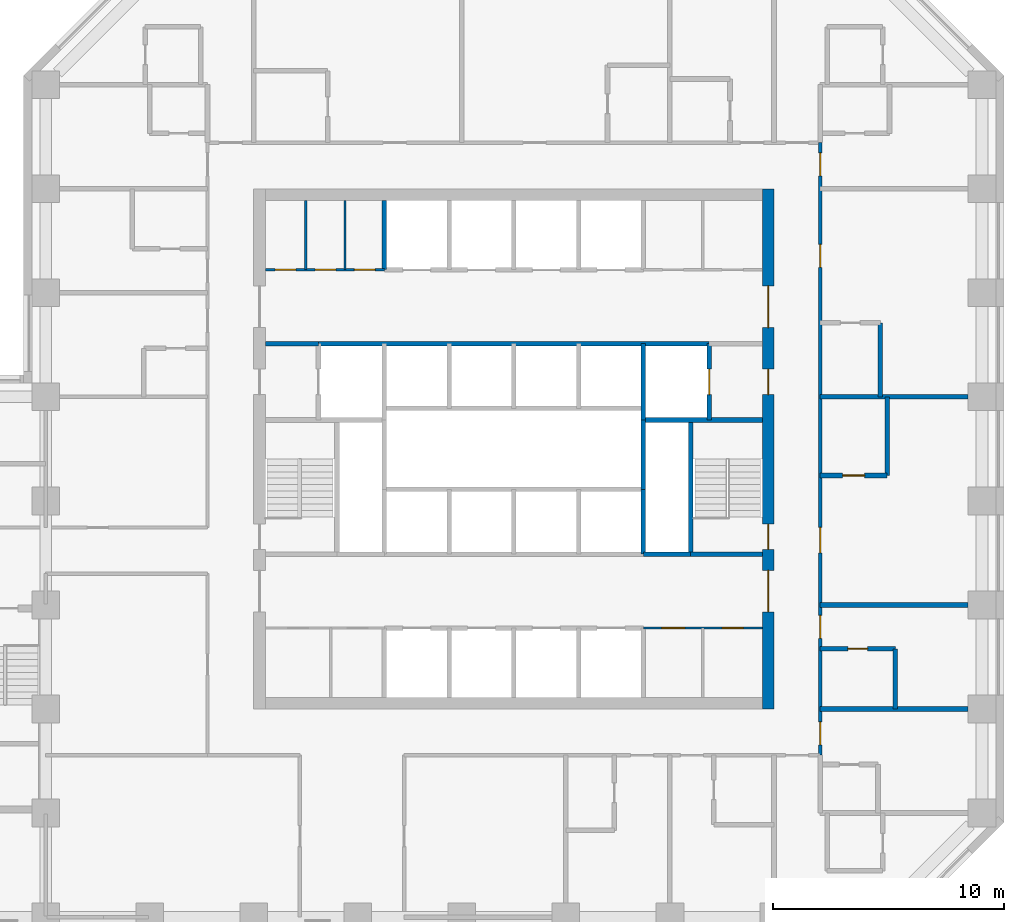
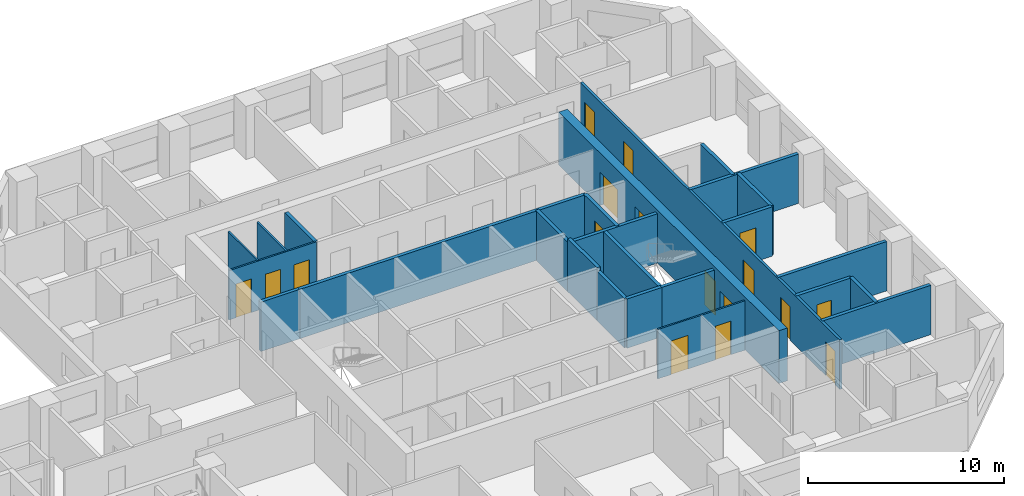
# One storey, part 8 of 12: 25 walls, 17 doors, 17 openings.
"""IFC4 building model written with IfcOpenShell, lengths in metres."""

from ifc_helpers import new_model, si_unit, direction, frame, frame_2d, origin, place, context, subcontext, project, spatial, rectangle, extrude, material, layer, layer_set, type_object, element, fill, save


model = new_model("IFC4")

# Units and contexts
model_context = context("Model", 3, precision=1e-05, world=origin(), true_north=direction((0.0, 1.0)))
body_context = subcontext(model_context, "Body", "Model", "MODEL_VIEW")
ifc_project = project(units=[si_unit("LENGTHUNIT", "METRE"), si_unit("AREAUNIT", "SQUARE_METRE"), si_unit("VOLUMEUNIT", "CUBIC_METRE"), si_unit("PLANEANGLEUNIT", "RADIAN"), si_unit("MASSUNIT", "GRAM", prefix="KILO")], contexts=[model_context])

# Site, building, storey
site_placement = place(None, origin())
site = spatial("IfcSite", under=ifc_project, at=site_placement, CompositionType="ELEMENT")
building_placement = place(site_placement, origin())
building = spatial("IfcBuilding", under=site, at=building_placement, Name="Quoin Convention Tower", CompositionType="ELEMENT")
storey_placement = place(building_placement, frame((0.0, 0.0, 42.89990234375)))
storey = spatial("IfcBuildingStorey", under=building, at=storey_placement, Name="L10", CompositionType="ELEMENT", Elevation=42.89990234375)

# Wall, openings, doors
ifc_material_1 = material(Name="Plasterboard")
ifc_layer_1 = layer(ifc_material_1, 0.012451171875, Name="Finish")
ifc_material_2 = material(Name="Steel stud framing", Category="steel")
ifc_layer_2 = layer(ifc_material_2, 0.074951171875, Name="Structure")
ifc_layer_3 = layer(ifc_material_1, 0.012451171875, Name="Finish")
ifc_layer_set_1 = layer_set([ifc_layer_1, ifc_layer_2, ifc_layer_3], Name="Steel stud framing")
wall_type_1 = type_object("IfcWallType", Name="Core partition wall", PredefinedType="PARTITIONING", material=ifc_layer_set_1)
wall_1_placement = place(storey_placement, frame((61.85009765625, 53.0, 0.0), z_axis=(0.0, 0.0, 1.0), x_axis=(1.0, 0.0, 0.0)))
wall_1 = element("IfcWall", 1, at=wall_1_placement, inside=storey, type_object=wall_type_1, Name="cr-C1-L10-h3500_16850", PredefinedType="PARTITIONING", context=body_context, shape_type="SweptSolid", body=[
    extrude(rectangle(XDim=5.14990234375, YDim=0.10009765625, at=frame_2d((2.574951171875, 0.0))), origin(), (0.0, 0.0, 1.0), 3.080078125),
])
opening_1_placement = place(wall_1_placement, frame((3.41259765625, 0.0, 0.0)))
opening_1 = element("IfcOpeningElement", 2, at=opening_1_placement, cuts=wall_1, Name="Opening DCV4-23", PredefinedType="OPENING", context=body_context, shape_type="SweptSolid", body=[
    extrude(rectangle(XDim=0.89990234375, YDim=2.10009765625, at=frame_2d((0.449951171875, 1.050048828125))), frame((0.0, 0.06005859375, 0.0), z_axis=(0.0, -1.0, 0.0), x_axis=(1.0, 0.0, 0.0)), (0.0, 0.0, 1.0), 0.1201171875),
])
opening_2_placement = place(wall_1_placement, frame((0.78759765625, 0.0, 0.0)))
opening_2 = element("IfcOpeningElement", 3, at=opening_2_placement, cuts=wall_1, Name="Opening DCV4-21", PredefinedType="OPENING", context=body_context, shape_type="SweptSolid", body=[
    extrude(rectangle(XDim=1.0, YDim=2.10009765625, at=frame_2d((0.5, 1.050048828125))), frame((0.0, 0.06005859375, 0.0), z_axis=(0.0, -1.0, 0.0), x_axis=(1.0, 0.0, 0.0)), (0.0, 0.0, 1.0), 0.1201171875),
])
ifc_material_3 = material(Name="Steel door leaf", Category="steel")
door_type_1 = type_object("IfcDoorType", Name="Core room door 1000 x 2100", OperationType="SINGLE_SWING_LEFT", PredefinedType="DOOR", material=ifc_material_3)
door_1_placement = place(opening_2_placement, frame((1.0, 0.0, 0.0), z_axis=(0.0, 0.0, 1.0), x_axis=(-1.0, 0.0, 0.0)))
door_1 = element("IfcDoor", 4, at=door_1_placement, inside=storey, type_object=door_type_1, Name="cd-C1-L10-CSE1-lobA-CD1013", OperationType="SINGLE_SWING_RIGHT", OverallHeight=2.10009765625, OverallWidth=1.0, PredefinedType="DOOR", context=body_context, shape_type="SweptSolid", body=[
    extrude(rectangle(XDim=1.0, YDim=2.10009765625, at=frame_2d((0.5, 1.050048828125))), frame((0.0, 0.02490234375, 0.0), z_axis=(0.0, -1.0, 0.0), x_axis=(1.0, 0.0, 0.0)), (0.0, 0.0, 1.0), 0.050048828125),
])
fill(opening_2, door_1)
door_type_2 = type_object("IfcDoorType", Name="Core room door 900 x 2100", OperationType="SINGLE_SWING_LEFT", PredefinedType="DOOR", material=ifc_material_3)
door_2_placement = place(opening_1_placement, frame((0.89990234375, 0.0, 0.0), z_axis=(0.0, 0.0, 1.0), x_axis=(-1.0, 0.0, 0.0)))
door_2 = element("IfcDoor", 5, at=door_2_placement, inside=storey, type_object=door_type_2, Name="cd-C1-L10-CSE0-lobA-CD1012", OperationType="SINGLE_SWING_LEFT", OverallHeight=2.10009765625, OverallWidth=0.89990234375, PredefinedType="DOOR", context=body_context, shape_type="SweptSolid", body=[
    extrude(rectangle(XDim=0.89990234375, YDim=2.10009765625, at=frame_2d((0.449951171875, 1.050048828125))), frame((0.0, 0.02490234375, 0.0), z_axis=(0.0, -1.0, 0.0), x_axis=(1.0, 0.0, 0.0)), (0.0, 0.0, 1.0), 0.050048828125),
])
fill(opening_1, door_2)

wall_2_placement = place(storey_placement, frame((45.5, 68.5, 0.0), z_axis=(0.0, 0.0, 1.0), x_axis=(1.0, 0.0, 0.0)))
wall_2 = element("IfcWall", 6, at=wall_2_placement, inside=storey, type_object=wall_type_1, Name="cr-C1-L10-h19000_500", PredefinedType="PARTITIONING", context=body_context, shape_type="SweptSolid", body=[
    extrude(rectangle(XDim=5.14990234375, YDim=0.10009765625, at=frame_2d((2.574951171875, 0.0))), origin(), (0.0, 0.0, 1.0), 3.080078125),
])
opening_3_placement = place(wall_2_placement, frame((0.425537109375, 0.0, 0.0)))
opening_3 = element("IfcOpeningElement", 7, at=opening_3_placement, cuts=wall_2, Name="Opening DCV4-18", PredefinedType="OPENING", context=body_context, shape_type="SweptSolid", body=[
    extrude(rectangle(XDim=0.89990234375, YDim=2.10009765625, at=frame_2d((0.449951171875, 1.050048828125))), frame((0.0, 0.06005859375, 0.0), z_axis=(0.0, -1.0, 0.0), x_axis=(1.0, 0.0, 0.0)), (0.0, 0.0, 1.0), 0.1201171875),
])
opening_4_placement = place(wall_2_placement, frame((2.150634765625, 0.0, 0.0)))
opening_4 = element("IfcOpeningElement", 8, at=opening_4_placement, cuts=wall_2, Name="Opening DCV4-19", PredefinedType="OPENING", context=body_context, shape_type="SweptSolid", body=[
    extrude(rectangle(XDim=0.89990234375, YDim=2.10009765625, at=frame_2d((0.449951171875, 1.050048828125))), frame((0.0, 0.06005859375, 0.0), z_axis=(0.0, -1.0, 0.0), x_axis=(1.0, 0.0, 0.0)), (0.0, 0.0, 1.0), 0.1201171875),
])
opening_5_placement = place(wall_2_placement, frame((3.85009765625, 0.0, 0.0)))
opening_5 = element("IfcOpeningElement", 9, at=opening_5_placement, cuts=wall_2, Name="Opening DCV4-20", PredefinedType="OPENING", context=body_context, shape_type="SweptSolid", body=[
    extrude(rectangle(XDim=0.89990234375, YDim=2.10009765625, at=frame_2d((0.449951171875, 1.050048828125))), frame((0.0, 0.06005859375, 0.0), z_axis=(0.0, -1.0, 0.0), x_axis=(1.0, 0.0, 0.0)), (0.0, 0.0, 1.0), 0.1201171875),
])
door_3_placement = place(opening_3_placement, origin())
door_3 = element("IfcDoor", 10, at=door_3_placement, inside=storey, type_object=door_type_2, Name="cd-C1-L10-CNW0-lobB-CD1009", OperationType="SINGLE_SWING_RIGHT", OverallHeight=2.10009765625, OverallWidth=0.89990234375, PredefinedType="DOOR", context=body_context, shape_type="SweptSolid", body=[
    extrude(rectangle(XDim=0.89990234375, YDim=2.10009765625, at=frame_2d((0.449951171875, 1.050048828125))), frame((0.0, 0.02490234375, 0.0), z_axis=(0.0, -1.0, 0.0), x_axis=(1.0, 0.0, 0.0)), (0.0, 0.0, 1.0), 0.050048828125),
])
fill(opening_3, door_3)
door_4_placement = place(opening_4_placement, origin())
door_4 = element("IfcDoor", 11, at=door_4_placement, inside=storey, type_object=door_type_2, Name="cd-C1-L10-CNW1-lobB-CD1010", OperationType="SINGLE_SWING_RIGHT", OverallHeight=2.10009765625, OverallWidth=0.89990234375, PredefinedType="DOOR", context=body_context, shape_type="SweptSolid", body=[
    extrude(rectangle(XDim=0.89990234375, YDim=2.10009765625, at=frame_2d((0.449951171875, 1.050048828125))), frame((0.0, 0.02490234375, 0.0), z_axis=(0.0, -1.0, 0.0), x_axis=(1.0, 0.0, 0.0)), (0.0, 0.0, 1.0), 0.050048828125),
])
fill(opening_4, door_4)
door_5_placement = place(opening_5_placement, origin())
door_5 = element("IfcDoor", 12, at=door_5_placement, inside=storey, type_object=door_type_2, Name="cd-C1-L10-CNW2-lobB-CD1011", OperationType="SINGLE_SWING_RIGHT", OverallHeight=2.10009765625, OverallWidth=0.89990234375, PredefinedType="DOOR", context=body_context, shape_type="SweptSolid", body=[
    extrude(rectangle(XDim=0.89990234375, YDim=2.10009765625, at=frame_2d((0.449951171875, 1.050048828125))), frame((0.0, 0.02490234375, 0.0), z_axis=(0.0, -1.0, 0.0), x_axis=(1.0, 0.0, 0.0)), (0.0, 0.0, 1.0), 0.050048828125),
])
fill(opening_5, door_5)

# Walls
for number, where, z_axis, x_axis, name in (
    (13, (47.2509765625, 68.5, 0.0), (0.0, 0.0, 1.0), (0.0, 1.0, 0.0), "cr-C1-L10-v2251_19000"),
    (14, (48.950439453125, 68.5, 0.0), (0.0, 0.0, 1.0), (0.0, 1.0, 0.0), "cr-C1-L10-v3950_19000"),
):
    element("IfcWall", number, at=place(storey_placement, frame(where, z_axis=z_axis, x_axis=x_axis)), inside=storey, type_object=wall_type_1, Name=name, PredefinedType="PARTITIONING", context=body_context, shape_type="SweptSolid", body=[
        extrude(rectangle(XDim=3.0, YDim=0.10009765625, at=frame_2d((1.5, 0.0))), origin(), (0.0, 0.0, 1.0), 3.080078125),
    ])
ifc_material_4 = material(Name="Concrete C50", Category="concrete")
ifc_layer_4 = layer(ifc_material_4, 0.199951171875)
ifc_layer_set_2 = layer_set([ifc_layer_4], Name="Concrete C50")
wall_type_2 = type_object("IfcWallType", Name="Core shaft wall", PredefinedType="SOLIDWALL", material=ifc_layer_set_2)
wall_3_placement = place(storey_placement, frame((61.85009765625, 56.199951171875, 0.0), z_axis=(0.0, 0.0, 1.0), x_axis=(1.0, 0.0, 0.0)))
element("IfcWall", 15, at=wall_3_placement, inside=storey, type_object=wall_type_2, Name="cr-C1-L10-h6700_16850", PredefinedType="SOLIDWALL", context=body_context, shape_type="SweptSolid", body=[
    extrude(rectangle(XDim=2.0498046875, YDim=0.199951171875, at=frame_2d((1.02490234375, 0.0))), origin(), (0.0, 0.0, 1.0), 3.080078125),
])
wall_4_placement = place(storey_placement, frame((63.89990234375, 56.199951171875, 0.0), z_axis=(0.0, 0.0, 1.0), x_axis=(1.0, 0.0, 0.0)))
element("IfcWall", 16, at=wall_4_placement, inside=storey, type_object=wall_type_2, Name="cr-C1-L10-h6700_18900", PredefinedType="SOLIDWALL", context=body_context, shape_type="SweptSolid", body=[
    extrude(rectangle(XDim=3.10009765625, YDim=0.199951171875, at=frame_2d((1.550048828125, 0.0))), origin(), (0.0, 0.0, 1.0), 3.080078125),
])
wall_5_placement = place(storey_placement, frame((61.85009765625, 62.0, 0.0), z_axis=(0.0, 0.0, 1.0), x_axis=(1.0, 0.0, 0.0)))
element("IfcWall", 17, at=wall_5_placement, inside=storey, type_object=wall_type_2, Name="cr-C1-L10-h12500_16850", PredefinedType="SOLIDWALL", context=body_context, shape_type="SweptSolid", body=[
    extrude(rectangle(XDim=5.14990234375, YDim=0.199951171875, at=frame_2d((2.574951171875, 0.0))), origin(), (0.0, 0.0, 1.0), 3.080078125),
])
wall_6_placement = place(storey_placement, frame((45.5, 65.300048828125, 0.0), z_axis=(0.0, 0.0, 1.0), x_axis=(1.0, 0.0, 0.0)))
element("IfcWall", 18, at=wall_6_placement, inside=storey, type_object=wall_type_2, Name="cr-C1-L10-h15800_500", PredefinedType="SOLIDWALL", context=body_context, shape_type="SweptSolid", body=[
    extrude(rectangle(XDim=2.300048828125, YDim=0.199951171875, at=frame_2d((1.14990234375, 0.0))), origin(), (0.0, 0.0, 1.0), 3.080078125),
])
wall_7_placement = place(storey_placement, frame((47.800048828125, 65.300048828125, 0.0), z_axis=(0.0, 0.0, 1.0), x_axis=(1.0, 0.0, 0.0)))
element("IfcWall", 19, at=wall_7_placement, inside=storey, type_object=wall_type_2, Name="cr-C1-L10-h15800_2800", PredefinedType="SOLIDWALL", context=body_context, shape_type="SweptSolid", body=[
    extrude(rectangle(XDim=16.89990234375, YDim=0.199951171875, at=frame_2d((8.449951171875, 0.0))), origin(), (0.0, 0.0, 1.0), 3.080078125),
])
wall_8_placement = place(storey_placement, frame((50.64990234375, 68.5, 0.0), z_axis=(0.0, 0.0, 1.0), x_axis=(0.0, 1.0, 0.0)))
element("IfcWall", 20, at=wall_8_placement, inside=storey, type_object=wall_type_2, Name="cr-C1-L10-v5650_19000", PredefinedType="SOLIDWALL", context=body_context, shape_type="SweptSolid", body=[
    extrude(rectangle(XDim=3.0, YDim=0.199951171875, at=frame_2d((1.5, 0.0))), origin(), (0.0, 0.0, 1.0), 3.080078125),
])
wall_9_placement = place(storey_placement, frame((61.85009765625, 56.199951171875, 0.0), z_axis=(0.0, 0.0, 1.0), x_axis=(0.0, 1.0, 0.0)))
element("IfcWall", 21, at=wall_9_placement, inside=storey, type_object=wall_type_2, Name="cr-C1-L10-v16850_6700", PredefinedType="SOLIDWALL", context=body_context, shape_type="SweptSolid", body=[
    extrude(rectangle(XDim=2.800048828125, YDim=0.199951171875, at=frame_2d((1.39990234375, 0.0))), origin(), (0.0, 0.0, 1.0), 3.080078125),
])
wall_10_placement = place(storey_placement, frame((61.85009765625, 62.0, 0.0), z_axis=(0.0, 0.0, 1.0), x_axis=(0.0, 1.0, 0.0)))
element("IfcWall", 22, at=wall_10_placement, inside=storey, type_object=wall_type_2, Name="cr-C1-L10-v16850_12500", PredefinedType="SOLIDWALL", context=body_context, shape_type="SweptSolid", body=[
    extrude(rectangle(XDim=3.300048828125, YDim=0.199951171875, at=frame_2d((1.64990234375, 0.0))), origin(), (0.0, 0.0, 1.0), 3.080078125),
])
wall_11_placement = place(storey_placement, frame((63.89990234375, 56.199951171875, 0.0), z_axis=(0.0, 0.0, 1.0), x_axis=(0.0, 1.0, 0.0)))
element("IfcWall", 23, at=wall_11_placement, inside=storey, type_object=wall_type_2, Name="cr-C1-L10-v18900_6700", PredefinedType="SOLIDWALL", context=body_context, shape_type="SweptSolid", body=[
    extrude(rectangle(XDim=5.800048828125, YDim=0.199951171875, at=frame_2d((2.89990234375, 0.0))), origin(), (0.0, 0.0, 1.0), 3.080078125),
])

# Wall, opening, door
wall_12_placement = place(storey_placement, frame((64.699951171875, 62.0, 0.0), z_axis=(0.0, 0.0, 1.0), x_axis=(0.0, 1.0, 0.0)))
wall_12 = element("IfcWall", 24, at=wall_12_placement, inside=storey, type_object=wall_type_2, Name="cr-C1-L10-v19700_12500", PredefinedType="SOLIDWALL", context=body_context, shape_type="SweptSolid", body=[
    extrude(rectangle(XDim=3.300048828125, YDim=0.199951171875, at=frame_2d((1.64990234375, 0.0))), origin(), (0.0, 0.0, 1.0), 3.080078125),
])
opening_6_placement = place(wall_12_placement, frame((1.10009765625, 0.0, 0.0)))
opening_6 = element("IfcOpeningElement", 25, at=opening_6_placement, cuts=wall_12, Name="Opening LDFL2", PredefinedType="OPENING", context=body_context, shape_type="SweptSolid", body=[
    extrude(rectangle(XDim=1.10009765625, YDim=2.10009765625, at=frame_2d((0.550048828125, 1.050048828125))), frame((0.0, 0.10986328125, 0.0), z_axis=(0.0, -1.0, 0.0), x_axis=(1.0, 0.0, 0.0)), (0.0, 0.0, 1.0), 0.219970703125),
])
door_type_3 = type_object("IfcDoorType", Name="Lift landing door 1100 x 2100", OperationType="DOUBLE_DOOR_SLIDING", PredefinedType="DOOR", material=ifc_material_3)
door_6_placement = place(opening_6_placement, origin())
door_6 = element("IfcDoor", 26, at=door_6_placement, inside=storey, type_object=door_type_3, Name="cd-C1-L10-FLE-FFE-LDFL2", OperationType="DOUBLE_DOOR_SLIDING", OverallHeight=2.10009765625, OverallWidth=1.10009765625, PredefinedType="DOOR", context=body_context, shape_type="SweptSolid", body=[
    extrude(rectangle(XDim=1.10009765625, YDim=2.10009765625, at=frame_2d((0.550048828125, 1.050048828125))), frame((0.0, 0.02490234375, 0.0), z_axis=(0.0, -1.0, 0.0), x_axis=(1.0, 0.0, 0.0)), (0.0, 0.0, 1.0), 0.050048828125),
])
fill(opening_6, door_6)

# Wall
ifc_layer_5 = layer(ifc_material_4, 0.199951171875)
ifc_layer_set_3 = layer_set([ifc_layer_5], Name="Concrete C50")
wall_type_3 = type_object("IfcWallType", Name="Core shaft wall to the floor level over", PredefinedType="SOLIDWALL", material=ifc_layer_set_3)
wall_13_placement = place(storey_placement, frame((61.85009765625, 59.0, 0.0), z_axis=(0.0, 0.0, 1.0), x_axis=(0.0, 1.0, 0.0)))
element("IfcWall", 27, at=wall_13_placement, inside=storey, type_object=wall_type_3, Name="cr-C1-L10-v16850_9500", PredefinedType="SOLIDWALL", context=body_context, shape_type="SweptSolid", body=[
    extrude(rectangle(XDim=3.0, YDim=0.199951171875, at=frame_2d((1.5, 0.0))), origin(), (0.0, 0.0, 1.0), 3.300048828125),
])

# Wall, openings, doors
ifc_material_5 = material(Name="Concrete C80", Category="concrete")
ifc_layer_6 = layer(ifc_material_5, 0.5)
ifc_layer_set_4 = layer_set([ifc_layer_6], Name="Concrete C80")
wall_type_4 = type_object("IfcWallType", Name="RC CORE WALL 500 C80", PredefinedType="SHEAR", material=ifc_layer_set_4)
wall_14_placement = place(storey_placement, frame((67.25, 49.5, 0.0), z_axis=(0.0, 0.0, 1.0), x_axis=(0.0, 1.0, 0.0)))
wall_14 = element("IfcWall", 28, at=wall_14_placement, inside=storey, type_object=wall_type_4, Name="cwl-C1-L10-E", PredefinedType="SHEAR", context=body_context, shape_type="SweptSolid", body=[
    extrude(rectangle(XDim=22.5, YDim=0.5, at=frame_2d((11.25, 0.0))), origin(), (0.0, 0.0, 1.0), 3.300048828125),
])
opening_7_placement = place(wall_14_placement, frame((4.199951171875, 0.0, 0.0)))
opening_7 = element("IfcOpeningElement", 29, at=opening_7_placement, cuts=wall_14, Name="Opening DCV4-39", PredefinedType="OPENING", context=body_context, shape_type="SweptSolid", body=[
    extrude(rectangle(XDim=1.800048828125, YDim=2.10009765625, at=frame_2d((0.89990234375, 1.050048828125))), frame((0.0, 0.260009765625, 0.0), z_axis=(0.0, -1.0, 0.0), x_axis=(1.0, 0.0, 0.0)), (0.0, 0.0, 1.0), 0.52001953125),
])
opening_8_placement = place(wall_14_placement, frame((6.89990234375, 0.0, 0.0)))
opening_8 = element("IfcOpeningElement", 30, at=opening_8_placement, cuts=wall_14, Name="Opening SD2", PredefinedType="OPENING", context=body_context, shape_type="SweptSolid", body=[
    extrude(rectangle(XDim=1.10009765625, YDim=2.10009765625, at=frame_2d((0.550048828125, 1.050048828125))), frame((0.0, 0.260009765625, 0.0), z_axis=(0.0, -1.0, 0.0), x_axis=(1.0, 0.0, 0.0)), (0.0, 0.0, 1.0), 0.52001953125),
])
opening_9_placement = place(wall_14_placement, frame((13.60009765625, 0.0, 0.0)))
opening_9 = element("IfcOpeningElement", 31, at=opening_9_placement, cuts=wall_14, Name="Opening DCV4-38", PredefinedType="OPENING", context=body_context, shape_type="SweptSolid", body=[
    extrude(rectangle(XDim=1.10009765625, YDim=2.10009765625, at=frame_2d((0.550048828125, 1.050048828125))), frame((0.0, 0.260009765625, 0.0), z_axis=(0.0, -1.0, 0.0), x_axis=(1.0, 0.0, 0.0)), (0.0, 0.0, 1.0), 0.52001953125),
])
opening_10_placement = place(wall_14_placement, frame((16.5, 0.0, 0.0)))
opening_10 = element("IfcOpeningElement", 32, at=opening_10_placement, cuts=wall_14, Name="Opening DCV4-39", PredefinedType="OPENING", context=body_context, shape_type="SweptSolid", body=[
    extrude(rectangle(XDim=1.800048828125, YDim=2.10009765625, at=frame_2d((0.89990234375, 1.050048828125))), frame((0.0, 0.260009765625, 0.0), z_axis=(0.0, -1.0, 0.0), x_axis=(1.0, 0.0, 0.0)), (0.0, 0.0, 1.0), 0.52001953125),
])
door_type_4 = type_object("IfcDoorType", Name="Fire-fighting lobby door 1100 x 2100", OperationType="SINGLE_SWING_LEFT", PredefinedType="DOOR", material=ifc_material_3)
door_7_placement = place(opening_9_placement, origin())
door_7 = element("IfcDoor", 33, at=door_7_placement, inside=storey, type_object=door_type_4, Name="cd-C1-L10-FFE-E", OperationType="SINGLE_SWING_RIGHT", OverallHeight=2.10009765625, OverallWidth=1.10009765625, PredefinedType="DOOR", context=body_context, shape_type="SweptSolid", body=[
    extrude(rectangle(XDim=1.10009765625, YDim=2.10009765625, at=frame_2d((0.550048828125, 1.050048828125))), frame((0.0, 0.02490234375, 0.0), z_axis=(0.0, -1.0, 0.0), x_axis=(1.0, 0.0, 0.0)), (0.0, 0.0, 1.0), 0.050048828125),
])
fill(opening_9, door_7)
door_type_5 = type_object("IfcDoorType", Name="Lift lobby door 1800 x 2100", OperationType="SINGLE_SWING_LEFT", PredefinedType="DOOR", material=ifc_material_3)
door_8_placement = place(opening_7_placement, origin())
door_8 = element("IfcDoor", 34, at=door_8_placement, inside=storey, type_object=door_type_5, Name="cd-C1-L10-lobA-E", OperationType="SINGLE_SWING_RIGHT", OverallHeight=2.10009765625, OverallWidth=1.800048828125, PredefinedType="DOOR", context=body_context, shape_type="SweptSolid", body=[
    extrude(rectangle(XDim=1.800048828125, YDim=2.10009765625, at=frame_2d((0.89990234375, 1.050048828125))), frame((0.0, 0.02490234375, 0.0), z_axis=(0.0, -1.0, 0.0), x_axis=(1.0, 0.0, 0.0)), (0.0, 0.0, 1.0), 0.050048828125),
])
fill(opening_7, door_8)
door_9_placement = place(opening_10_placement, origin())
door_9 = element("IfcDoor", 35, at=door_9_placement, inside=storey, type_object=door_type_5, Name="cd-C1-L10-lobB-E", OperationType="SINGLE_SWING_RIGHT", OverallHeight=2.10009765625, OverallWidth=1.800048828125, PredefinedType="DOOR", context=body_context, shape_type="SweptSolid", body=[
    extrude(rectangle(XDim=1.800048828125, YDim=2.10009765625, at=frame_2d((0.89990234375, 1.050048828125))), frame((0.0, 0.02490234375, 0.0), z_axis=(0.0, -1.0, 0.0), x_axis=(1.0, 0.0, 0.0)), (0.0, 0.0, 1.0), 0.050048828125),
])
fill(opening_10, door_9)
door_type_6 = type_object("IfcDoorType", Name="Stair door 1100 x 2100", OperationType="SINGLE_SWING_RIGHT", PredefinedType="DOOR", material=ifc_material_3)
door_10_placement = place(opening_8_placement, origin())
door_10 = element("IfcDoor", 36, at=door_10_placement, inside=storey, type_object=door_type_6, Name="cd-C1-L10-STE-E", OperationType="SINGLE_SWING_LEFT", OverallHeight=2.10009765625, OverallWidth=1.10009765625, PredefinedType="DOOR", context=body_context, shape_type="SweptSolid", body=[
    extrude(rectangle(XDim=1.10009765625, YDim=2.10009765625, at=frame_2d((0.550048828125, 1.050048828125))), frame((0.0, 0.02490234375, 0.0), z_axis=(0.0, -1.0, 0.0), x_axis=(1.0, 0.0, 0.0)), (0.0, 0.0, 1.0), 0.050048828125),
])
fill(opening_8, door_10)

# Walls
ifc_layer_7 = layer(ifc_material_4, 0.199951171875)
ifc_layer_set_5 = layer_set([ifc_layer_7], Name="Concrete C50")
wall_type_5 = type_object("IfcWallType", Name="RC party wall", PredefinedType="SOLIDWALL", material=ifc_layer_set_5)
wall_15_placement = place(storey_placement, frame((69.5, 49.5, 0.0), z_axis=(0.0, 0.0, 1.0), x_axis=(1.0, 0.0, 0.0)))
element("IfcWall", 37, at=wall_15_placement, inside=storey, type_object=wall_type_5, Name="pw-L10-087", PredefinedType="SOLIDWALL", context=body_context, shape_type="SweptSolid", body=[
    extrude(rectangle(XDim=6.39990234375, YDim=0.199951171875, at=frame_2d((3.199951171875, 0.0))), origin(), (0.0, 0.0, 1.0), 3.080078125),
])
wall_16_placement = place(storey_placement, frame((72.75, 49.5, 0.0), z_axis=(0.0, 0.0, 1.0), x_axis=(0.0, 1.0, 0.0)))
element("IfcWall", 38, at=wall_16_placement, inside=storey, type_object=wall_type_5, Name="pw-L10-088", PredefinedType="SOLIDWALL", context=body_context, shape_type="SweptSolid", body=[
    extrude(rectangle(XDim=2.60009765625, YDim=0.199951171875, at=frame_2d((1.300048828125, 0.0))), origin(), (0.0, 0.0, 1.0), 3.080078125),
])

# Wall, opening, door
wall_17_placement = place(storey_placement, frame((69.5, 52.10009765625, 0.0), z_axis=(0.0, 0.0, 1.0), x_axis=(1.0, 0.0, 0.0)))
wall_17 = element("IfcWall", 39, at=wall_17_placement, inside=storey, type_object=wall_type_5, Name="pw-L10-091", PredefinedType="SOLIDWALL", context=body_context, shape_type="SweptSolid", body=[
    extrude(rectangle(XDim=3.25, YDim=0.199951171875, at=frame_2d((1.625, 0.0))), origin(), (0.0, 0.0, 1.0), 3.080078125),
])
opening_11_placement = place(wall_17_placement, frame((1.199951171875, 0.0, 0.0)))
opening_11 = element("IfcOpeningElement", 40, at=opening_11_placement, cuts=wall_17, Name="Opening DHOTEL-F-54", PredefinedType="OPENING", context=body_context, shape_type="SweptSolid", body=[
    extrude(rectangle(XDim=0.85009765625, YDim=2.10009765625, at=frame_2d((0.425048828125, 1.050048828125))), frame((0.0, 0.10986328125, 0.0), z_axis=(0.0, -1.0, 0.0), x_axis=(1.0, 0.0, 0.0)), (0.0, 0.0, 1.0), 0.219970703125),
])
door_type_7 = type_object("IfcDoorType", Name="Bathroom door", OperationType="SINGLE_SWING_LEFT", PredefinedType="DOOR", material=ifc_material_3)
door_11_placement = place(opening_11_placement, origin())
door_11 = element("IfcDoor", 41, at=door_11_placement, inside=storey, type_object=door_type_7, Name="dr-L10-048", OperationType="SINGLE_SWING_LEFT", OverallHeight=2.10009765625, OverallWidth=0.85009765625, PredefinedType="DOOR", context=body_context, shape_type="SweptSolid", body=[
    extrude(rectangle(XDim=0.85009765625, YDim=2.10009765625, at=frame_2d((0.425048828125, 1.050048828125))), frame((0.0, 0.02490234375, 0.0), z_axis=(0.0, -1.0, 0.0), x_axis=(1.0, 0.0, 0.0)), (0.0, 0.0, 1.0), 0.050048828125),
])
fill(opening_11, door_11)

# Wall
wall_18_placement = place(storey_placement, frame((69.5, 54.0, 0.0), z_axis=(0.0, 0.0, 1.0), x_axis=(1.0, 0.0, 0.0)))
element("IfcWall", 42, at=wall_18_placement, inside=storey, type_object=wall_type_5, Name="pw-L10-093", PredefinedType="SOLIDWALL", context=body_context, shape_type="SweptSolid", body=[
    extrude(rectangle(XDim=6.39990234375, YDim=0.199951171875, at=frame_2d((3.199951171875, 0.0))), origin(), (0.0, 0.0, 1.0), 3.080078125),
])

# Wall, opening, door
wall_19_placement = place(storey_placement, frame((69.5, 59.60009765625, 0.0), z_axis=(0.0, 0.0, 1.0), x_axis=(1.0, 0.0, 0.0)))
wall_19 = element("IfcWall", 43, at=wall_19_placement, inside=storey, type_object=wall_type_5, Name="pw-L10-106", PredefinedType="SOLIDWALL", context=body_context, shape_type="SweptSolid", body=[
    extrude(rectangle(XDim=2.89990234375, YDim=0.199951171875, at=frame_2d((1.449951171875, 0.0))), origin(), (0.0, 0.0, 1.0), 3.080078125),
])
opening_12_placement = place(wall_19_placement, frame((0.97509765625, 0.0, 0.0)))
opening_12 = element("IfcOpeningElement", 44, at=opening_12_placement, cuts=wall_19, Name="Opening DHOTEL-F-56", PredefinedType="OPENING", context=body_context, shape_type="SweptSolid", body=[
    extrude(rectangle(XDim=0.949951171875, YDim=2.10009765625, at=frame_2d((0.47509765625, 1.050048828125))), frame((0.0, 0.10986328125, 0.0), z_axis=(0.0, -1.0, 0.0), x_axis=(1.0, 0.0, 0.0)), (0.0, 0.0, 1.0), 0.219970703125),
])
door_type_8 = type_object("IfcDoorType", Name="Accessible bathroom door", OperationType="SINGLE_SWING_LEFT", PredefinedType="DOOR", material=ifc_material_3)
door_12_placement = place(opening_12_placement, frame((0.949951171875, 0.0, 0.0), z_axis=(0.0, 0.0, 1.0), x_axis=(-1.0, 0.0, 0.0)))
door_12 = element("IfcDoor", 45, at=door_12_placement, inside=storey, type_object=door_type_8, Name="dr-L10-046", OperationType="SINGLE_SWING_RIGHT", OverallHeight=2.10009765625, OverallWidth=0.949951171875, PredefinedType="DOOR", context=body_context, shape_type="SweptSolid", body=[
    extrude(rectangle(XDim=0.949951171875, YDim=2.10009765625, at=frame_2d((0.47509765625, 1.050048828125))), frame((0.0, 0.02490234375, 0.0), z_axis=(0.0, -1.0, 0.0), x_axis=(1.0, 0.0, 0.0)), (0.0, 0.0, 1.0), 0.050048828125),
])
fill(opening_12, door_12)

# Walls
wall_20_placement = place(storey_placement, frame((72.39990234375, 59.60009765625, 0.0), z_axis=(0.0, 0.0, 1.0), x_axis=(0.0, 1.0, 0.0)))
element("IfcWall", 46, at=wall_20_placement, inside=storey, type_object=wall_type_5, Name="pw-L10-107", PredefinedType="SOLIDWALL", context=body_context, shape_type="SweptSolid", body=[
    extrude(rectangle(XDim=3.39990234375, YDim=0.199951171875, at=frame_2d((1.699951171875, 0.0))), origin(), (0.0, 0.0, 1.0), 3.080078125),
])
wall_21_placement = place(storey_placement, frame((69.5, 63.0, 0.0), z_axis=(0.0, 0.0, 1.0), x_axis=(1.0, 0.0, 0.0)))
element("IfcWall", 47, at=wall_21_placement, inside=storey, type_object=wall_type_5, Name="pw-L10-113", PredefinedType="SOLIDWALL", context=body_context, shape_type="SweptSolid", body=[
    extrude(rectangle(XDim=6.39990234375, YDim=0.199951171875, at=frame_2d((3.199951171875, 0.0))), origin(), (0.0, 0.0, 1.0), 3.080078125),
])
wall_22_placement = place(storey_placement, frame((72.10009765625, 63.0, 0.0), z_axis=(0.0, 0.0, 1.0), x_axis=(0.0, 1.0, 0.0)))
element("IfcWall", 48, at=wall_22_placement, inside=storey, type_object=wall_type_5, Name="pw-L10-114", PredefinedType="SOLIDWALL", context=body_context, shape_type="SweptSolid", body=[
    extrude(rectangle(XDim=3.199951171875, YDim=0.199951171875, at=frame_2d((1.60009765625, 0.0))), origin(), (0.0, 0.0, 1.0), 3.080078125),
])

# Wall, openings, doors
ifc_layer_8 = layer(ifc_material_1, 0.012451171875, Name="Finish")
ifc_layer_9 = layer(ifc_material_2, 0.125, Name="Structure")
ifc_layer_10 = layer(ifc_material_1, 0.012451171875, Name="Finish")
ifc_layer_set_6 = layer_set([ifc_layer_8, ifc_layer_9, ifc_layer_10], Name="Steel stud framing")
wall_type_6 = type_object("IfcWallType", Name="corridor partition", PredefinedType="PARTITIONING", material=ifc_layer_set_6)
wall_23_placement = place(storey_placement, frame((69.5, 47.5, 0.0), z_axis=(0.0, 0.0, 1.0), x_axis=(0.0, 1.0, 0.0)))
wall_23 = element("IfcWall", 49, at=wall_23_placement, inside=storey, type_object=wall_type_6, Name="pw-L10-029", PredefinedType="PARTITIONING", context=body_context, shape_type="SweptSolid", body=[
    extrude(rectangle(XDim=26.5, YDim=0.14990234375, at=frame_2d((13.25, 0.0))), origin(), (0.0, 0.0, 1.0), 3.080078125),
])
opening_13_placement = place(wall_23_placement, frame((25.052978515625, 0.0, 0.0)))
opening_13 = element("IfcOpeningElement", 50, at=opening_13_placement, cuts=wall_23, Name="Opening DHOTEL-F-28", PredefinedType="OPENING", context=body_context, shape_type="SweptSolid", body=[
    extrude(rectangle(XDim=1.0, YDim=2.10009765625, at=frame_2d((0.5, 1.050048828125))), frame((0.0, 0.0849609375, 0.0), z_axis=(0.0, -1.0, 0.0), x_axis=(1.0, 0.0, 0.0)), (0.0, 0.0, 1.0), 0.169921875),
])
opening_14_placement = place(wall_23_placement, frame((21.10009765625, 0.0, 0.0)))
opening_14 = element("IfcOpeningElement", 51, at=opening_14_placement, cuts=wall_23, Name="Opening DHOTEL-F-27", PredefinedType="OPENING", context=body_context, shape_type="SweptSolid", body=[
    extrude(rectangle(XDim=1.0, YDim=2.10009765625, at=frame_2d((0.5, 1.050048828125))), frame((0.0, 0.0849609375, 0.0), z_axis=(0.0, -1.0, 0.0), x_axis=(1.0, 0.0, 0.0)), (0.0, 0.0, 1.0), 0.169921875),
])
opening_15_placement = place(wall_23_placement, frame((8.75, 0.0, 0.0)))
opening_15 = element("IfcOpeningElement", 52, at=opening_15_placement, cuts=wall_23, Name="Opening DHOTEL-F-26", PredefinedType="OPENING", context=body_context, shape_type="SweptSolid", body=[
    extrude(rectangle(XDim=1.10009765625, YDim=2.10009765625, at=frame_2d((0.550048828125, 1.050048828125))), frame((0.0, 0.0849609375, 0.0), z_axis=(0.0, -1.0, 0.0), x_axis=(1.0, 0.0, 0.0)), (0.0, 0.0, 1.0), 0.169921875),
])
opening_16_placement = place(wall_23_placement, frame((5.050048828125, 0.0, 0.0)))
opening_16 = element("IfcOpeningElement", 53, at=opening_16_placement, cuts=wall_23, Name="Opening DHOTEL-F-25", PredefinedType="OPENING", context=body_context, shape_type="SweptSolid", body=[
    extrude(rectangle(XDim=1.0, YDim=2.10009765625, at=frame_2d((0.5, 1.050048828125))), frame((0.0, 0.0849609375, 0.0), z_axis=(0.0, -1.0, 0.0), x_axis=(1.0, 0.0, 0.0)), (0.0, 0.0, 1.0), 0.169921875),
])
opening_17_placement = place(wall_23_placement, frame((0.447021484375, 0.0, 0.0)))
opening_17 = element("IfcOpeningElement", 54, at=opening_17_placement, cuts=wall_23, Name="Opening DHOTEL-F-24", PredefinedType="OPENING", context=body_context, shape_type="SweptSolid", body=[
    extrude(rectangle(XDim=1.0, YDim=2.10009765625, at=frame_2d((0.5, 1.050048828125))), frame((0.0, 0.0849609375, 0.0), z_axis=(0.0, -1.0, 0.0), x_axis=(1.0, 0.0, 0.0)), (0.0, 0.0, 1.0), 0.169921875),
])
door_type_9 = type_object("IfcDoorType", Name="Accessible room door", OperationType="SINGLE_SWING_LEFT", PredefinedType="DOOR", material=ifc_material_3)
door_13_placement = place(opening_15_placement, frame((1.10009765625, 0.0, 0.0), z_axis=(0.0, 0.0, 1.0), x_axis=(-1.0, 0.0, 0.0)))
door_13 = element("IfcDoor", 55, at=door_13_placement, inside=storey, type_object=door_type_9, Name="dr-L10-045", OperationType="SINGLE_SWING_LEFT", OverallHeight=2.10009765625, OverallWidth=1.10009765625, PredefinedType="DOOR", context=body_context, shape_type="SweptSolid", body=[
    extrude(rectangle(XDim=1.10009765625, YDim=2.10009765625, at=frame_2d((0.550048828125, 1.050048828125))), frame((0.0, 0.02490234375, 0.0), z_axis=(0.0, -1.0, 0.0), x_axis=(1.0, 0.0, 0.0)), (0.0, 0.0, 1.0), 0.050048828125),
])
fill(opening_15, door_13)
door_type_10 = type_object("IfcDoorType", Name="Hotel room door", OperationType="SINGLE_SWING_LEFT", PredefinedType="DOOR", material=ifc_material_3)
door_14_placement = place(opening_13_placement, frame((1.0, 0.0, 0.0), z_axis=(0.0, 0.0, 1.0), x_axis=(-1.0, 0.0, 0.0)))
door_14 = element("IfcDoor", 56, at=door_14_placement, inside=storey, type_object=door_type_10, Name="dr-L10-041", OperationType="SINGLE_SWING_LEFT", OverallHeight=2.10009765625, OverallWidth=1.0, PredefinedType="DOOR", context=body_context, shape_type="SweptSolid", body=[
    extrude(rectangle(XDim=1.0, YDim=2.10009765625, at=frame_2d((0.5, 1.050048828125))), frame((0.0, 0.02490234375, 0.0), z_axis=(0.0, -1.0, 0.0), x_axis=(1.0, 0.0, 0.0)), (0.0, 0.0, 1.0), 0.050048828125),
])
fill(opening_13, door_14)
door_15_placement = place(opening_14_placement, frame((1.0, 0.0, 0.0), z_axis=(0.0, 0.0, 1.0), x_axis=(-1.0, 0.0, 0.0)))
door_15 = element("IfcDoor", 57, at=door_15_placement, inside=storey, type_object=door_type_10, Name="dr-L10-043", OperationType="SINGLE_SWING_LEFT", OverallHeight=2.10009765625, OverallWidth=1.0, PredefinedType="DOOR", context=body_context, shape_type="SweptSolid", body=[
    extrude(rectangle(XDim=1.0, YDim=2.10009765625, at=frame_2d((0.5, 1.050048828125))), frame((0.0, 0.02490234375, 0.0), z_axis=(0.0, -1.0, 0.0), x_axis=(1.0, 0.0, 0.0)), (0.0, 0.0, 1.0), 0.050048828125),
])
fill(opening_14, door_15)
door_16_placement = place(opening_16_placement, frame((1.0, 0.0, 0.0), z_axis=(0.0, 0.0, 1.0), x_axis=(-1.0, 0.0, 0.0)))
door_16 = element("IfcDoor", 58, at=door_16_placement, inside=storey, type_object=door_type_10, Name="dr-L10-047", OperationType="SINGLE_SWING_LEFT", OverallHeight=2.10009765625, OverallWidth=1.0, PredefinedType="DOOR", context=body_context, shape_type="SweptSolid", body=[
    extrude(rectangle(XDim=1.0, YDim=2.10009765625, at=frame_2d((0.5, 1.050048828125))), frame((0.0, 0.02490234375, 0.0), z_axis=(0.0, -1.0, 0.0), x_axis=(1.0, 0.0, 0.0)), (0.0, 0.0, 1.0), 0.050048828125),
])
fill(opening_16, door_16)
door_17_placement = place(opening_17_placement, frame((1.0, 0.0, 0.0), z_axis=(0.0, 0.0, 1.0), x_axis=(-1.0, 0.0, 0.0)))
door_17 = element("IfcDoor", 59, at=door_17_placement, inside=storey, type_object=door_type_10, Name="dr-L10-049", OperationType="SINGLE_SWING_LEFT", OverallHeight=2.10009765625, OverallWidth=1.0, PredefinedType="DOOR", context=body_context, shape_type="SweptSolid", body=[
    extrude(rectangle(XDim=1.0, YDim=2.10009765625, at=frame_2d((0.5, 1.050048828125))), frame((0.0, 0.02490234375, 0.0), z_axis=(0.0, -1.0, 0.0), x_axis=(1.0, 0.0, 0.0)), (0.0, 0.0, 1.0), 0.050048828125),
])
fill(opening_17, door_17)

save(model, "model.ifc")
